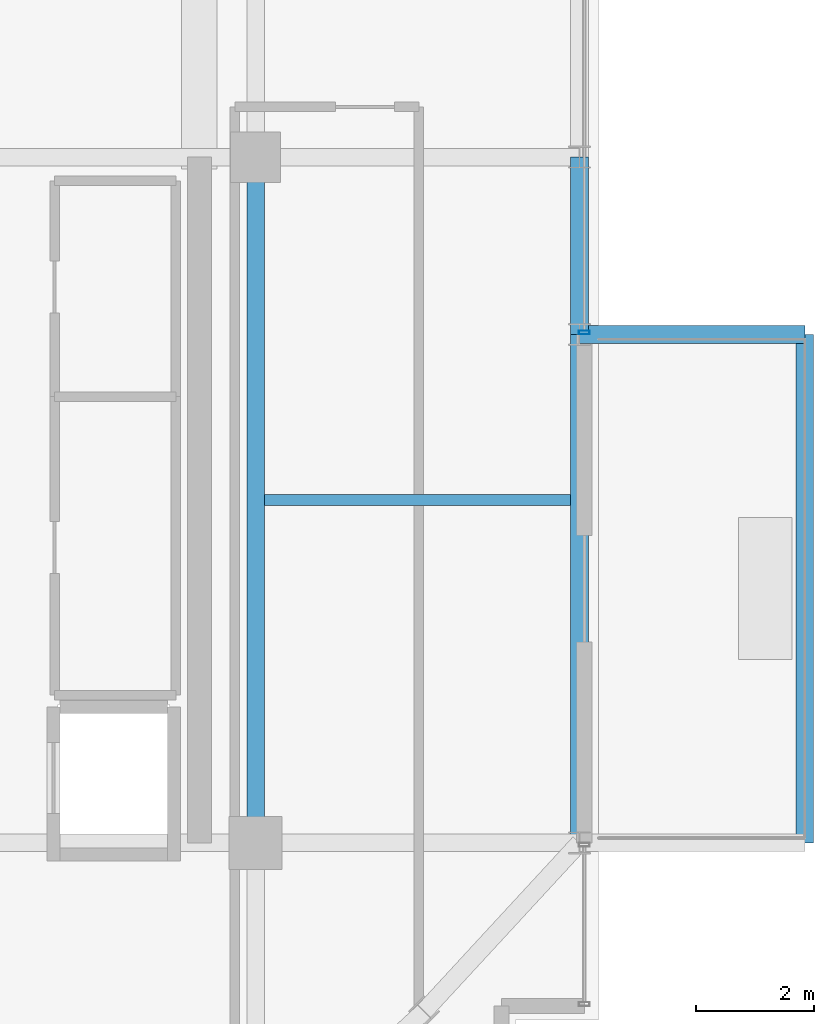
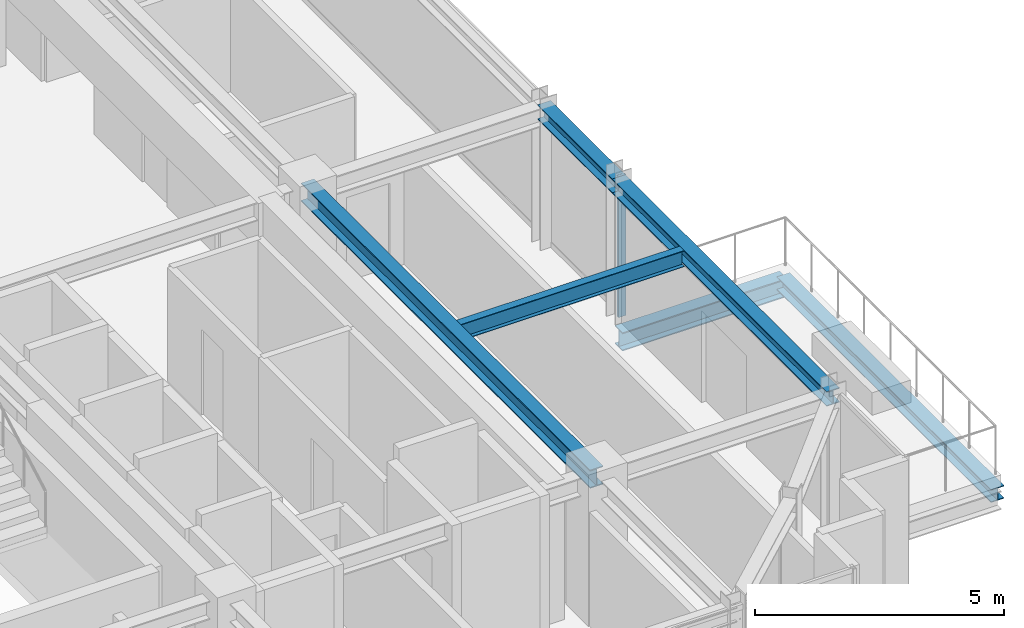
# One storey, part 13 of 31: 6 beams, 1 member, 1 element without a shape of its own.
"""IFC4 building model written with IfcOpenShell, lengths in metres."""

import ifcopenshell
import ifcopenshell.guid

model = None  # the IFC model being written
_history = None  # IfcOwnerHistory: only IFC2X3 demands one
_inside = {}  # id of a spatial element -> (the spatial element, [elements in it])
_under = {}  # id of a project, library or spatial element -> (it, [spatial elements below it])
_declared = {}  # id of a project -> (the project, [libraries it declares])
_typed = {}  # id of a type object -> (the type object, [elements of that type])
_made_of = {}  # id of a material, layer set ... -> (it, [elements and type objects made of it])


def new_model(schema):
    """Start an empty IFC model of exactly this schema.

    Asked for "IFC4X3", IfcOpenShell would pick the latest addendum, in which some entities
    have other attributes; the version numbers below select the first issue.
    IFC2X3 requires an IfcOwnerHistory on every rooted entity: one is made here for all.
    """
    global model, _history
    if schema == "IFC4X3":
        model = ifcopenshell.file(schema_version=(4, 3, 0, 0))
    else:
        model = ifcopenshell.file(schema=schema)
    _inside.clear()
    _under.clear()
    _declared.clear()
    _typed.clear()
    _made_of.clear()
    _history = None
    if model.schema == "IFC2X3":
        org = make("IfcOrganization", Name="unknown")
        user = make(
            "IfcPersonAndOrganization",
            ThePerson=make("IfcPerson", FamilyName="unknown"),
            TheOrganization=org,
        )
        app = make(
            "IfcApplication",
            ApplicationDeveloper=org,
            Version="unknown",
            ApplicationFullName="unknown",
            ApplicationIdentifier="unknown",
        )
        _history = make(
            "IfcOwnerHistory",
            OwningUser=user,
            OwningApplication=app,
            ChangeAction="ADDED",
            CreationDate=0,
        )
    return model


def make(cls, **values):
    """One entity of the class cls with the attributes given. An attribute that is None is left unset."""
    return model.create_entity(
        cls, **{name: value for name, value in values.items() if value is not None}
    )


def rooted(cls, **values):
    """An entity with a GlobalId (a new one), such as an element, a storey or a relation."""
    return make(cls, GlobalId=ifcopenshell.guid.new(), OwnerHistory=_history, **values)


def si_unit(unit_type, name, prefix=None):
    """IfcSIUnit, for example si_unit("LENGTHUNIT", "METRE", prefix="MILLI")."""
    return make("IfcSIUnit", UnitType=unit_type, Prefix=prefix, Name=name)


def assignment(units):
    """IfcUnitAssignment: the units of a project."""
    return None if units is None else make("IfcUnitAssignment", Units=units)


def point(xyz):
    """IfcCartesianPoint."""
    return None if xyz is None else make("IfcCartesianPoint", Coordinates=xyz)


def direction(xyz):
    """IfcDirection."""
    return None if xyz is None else make("IfcDirection", DirectionRatios=xyz)


def frame(location, z_axis=None, x_axis=None):
    """IfcAxis2Placement3D, a coordinate frame: its origin and axes. An axis left out is left unset."""
    return make(
        "IfcAxis2Placement3D",
        Location=point(location),
        Axis=direction(z_axis),
        RefDirection=direction(x_axis),
    )


def frame_2d(location, x_axis=None):
    """IfcAxis2Placement2D, a coordinate frame in the plane: its origin and x axis."""
    return make(
        "IfcAxis2Placement2D", Location=point(location), RefDirection=direction(x_axis)
    )


def origin():
    """The frame at (0, 0, 0) with its axes left unset."""
    return frame((0.0, 0.0, 0.0))


def origin_2d():
    """The frame at (0, 0) in the plane with its x axis left unset."""
    return frame_2d((0.0, 0.0))


def place(relative_to, where):
    """IfcLocalPlacement: puts the frame where relative to a parent placement (None: the world)."""
    return make(
        "IfcLocalPlacement", PlacementRelTo=relative_to, RelativePlacement=where
    )


def context(
    kind, dimensions, precision=None, world=None, true_north=None, identifier=None
):
    """IfcGeometricRepresentationContext, for example the 3D "Model" context."""
    return make(
        "IfcGeometricRepresentationContext",
        ContextIdentifier=identifier,
        ContextType=kind,
        CoordinateSpaceDimension=dimensions,
        Precision=precision,
        WorldCoordinateSystem=world,
        TrueNorth=true_north,
    )


def subcontext(parent, identifier, kind, view, scale=None):
    """IfcGeometricRepresentationSubContext, for example "Body" below "Model"."""
    return make(
        "IfcGeometricRepresentationSubContext",
        ContextIdentifier=identifier,
        ContextType=kind,
        ParentContext=parent,
        TargetScale=scale,
        TargetView=view,
    )


def project(units=None, contexts=None):
    """IfcProject with its units and contexts."""
    return rooted(
        "IfcProject",
        Name="project",
        RepresentationContexts=contexts,
        UnitsInContext=assignment(units),
    )


def spatial(cls, under=None, at=None, **own):
    """A site, building, storey or space (cls), placed at a placement, below another one or the project."""
    s = rooted(cls, ObjectPlacement=at, **own)
    if under is not None:
        _under.setdefault(under.id(), (under, []))[1].append(s)
    return s


def profile(cls, at=None, kind="AREA", **sizes):
    """A parametric profile (cls). Its sizes go by their IFC names, for example OverallWidth=200.0."""
    return make(cls, ProfileType=kind, Position=at, **sizes)


def hollow_rectangle(**sizes):
    """IfcRectangleHollowProfileDef."""
    return profile("IfcRectangleHollowProfileDef", **sizes)


def i_section(**sizes):
    """IfcIShapeProfileDef."""
    return profile("IfcIShapeProfileDef", **sizes)


def extrude(swept, where, along, depth):
    """IfcExtrudedAreaSolid: the profile swept, set in the frame where, extruded along a direction by depth."""
    return make(
        "IfcExtrudedAreaSolid",
        SweptArea=swept,
        Position=where,
        ExtrudedDirection=direction(along),
        Depth=depth,
    )


def shape(context_of_items, identifier, shape_type, items):
    """IfcShapeRepresentation: the items that make up one representation, for example the "Body"."""
    return make(
        "IfcShapeRepresentation",
        ContextOfItems=context_of_items,
        RepresentationIdentifier=identifier,
        RepresentationType=shape_type,
        Items=items,
    )


def source(mapping_origin, context_of_items, identifier, shape_type, items):
    """IfcRepresentationMap: a shape defined once, which mapped items show again and again."""
    return make(
        "IfcRepresentationMap",
        MappingOrigin=mapping_origin,
        MappedRepresentation=shape(context_of_items, identifier, shape_type, items),
    )


def transform(
    local_origin,
    x_axis=None,
    y_axis=None,
    z_axis=None,
    scale=None,
    scale2=None,
    scale3=None,
    uniform=True,
):
    """IfcCartesianTransformationOperator3D, or its non-uniform kind. x_axis, y_axis, z_axis: its Axis1, 2, 3."""
    if uniform:
        return make(
            "IfcCartesianTransformationOperator3D",
            Axis1=direction(x_axis),
            Axis2=direction(y_axis),
            LocalOrigin=point(local_origin),
            Scale=scale,
            Axis3=direction(z_axis),
        )
    return make(
        "IfcCartesianTransformationOperator3DnonUniform",
        Axis1=direction(x_axis),
        Axis2=direction(y_axis),
        LocalOrigin=point(local_origin),
        Scale=scale,
        Axis3=direction(z_axis),
        Scale2=scale2,
        Scale3=scale3,
    )


def mapped(mapping_source, mapping_target):
    """IfcMappedItem: shows the shape of a source again, moved by a transform."""
    return make(
        "IfcMappedItem", MappingSource=mapping_source, MappingTarget=mapping_target
    )


def material(Name=None, Category=None):
    """IfcMaterial."""
    return make("IfcMaterial", Name=Name, Category=Category)


def material_profile(
    of_material, cross_section, Name=None, Category=None, Priority=None
):
    """IfcMaterialProfile: a cross section and its material."""
    return make(
        "IfcMaterialProfile",
        Name=Name,
        Material=of_material,
        Profile=cross_section,
        Priority=Priority,
        Category=Category,
    )


def profile_set(profiles, Name=None, composite=None):
    """IfcMaterialProfileSet."""
    return make(
        "IfcMaterialProfileSet",
        Name=Name,
        MaterialProfiles=profiles,
        CompositeProfile=composite,
    )


def made_of(thing, what):
    """Note that an element or type object is made of a material, layer set ...; save() writes the relation."""
    if what is not None:
        _made_of.setdefault(what.id(), (what, []))[1].append(thing)
    return thing


def type_object(cls, material=None, **own):
    """A type object (cls), such as IfcWallType, which elements share."""
    return made_of(rooted(cls, **own), material)


def element(
    cls,
    number,
    at=None,
    inside=None,
    cuts=None,
    type_object=None,
    material=None,
    context=None,
    identifier="Body",
    shape_type=None,
    held_by="IfcProductDefinitionShape",
    body=None,
    shapes=None,
    **own,
):
    """One element of the class cls, such as IfcWall. Its Tag is "e" and its number.

    at: its placement. inside: the storey or other place that contains it. cuts: it is an
    opening in that element (IfcRelVoidsElement). A single representation is given by context,
    identifier, shape_type and body (its items); several are given by shapes. held_by: the class
    of the entity that holds the representations. save() writes the other relations.
    """
    e = rooted(cls, Tag="e%d" % number, ObjectPlacement=at, **own)
    if body is not None:
        shapes = [shape(context, identifier, shape_type, body)]
    if shapes is not None:
        e.Representation = make(held_by, Representations=shapes)
    if inside is not None:
        _inside.setdefault(inside.id(), (inside, []))[1].append(e)
    if cuts is not None:
        rooted(
            "IfcRelVoidsElement", RelatingBuildingElement=cuts, RelatedOpeningElement=e
        )
    if type_object is not None:
        _typed.setdefault(type_object.id(), (type_object, []))[1].append(e)
    return made_of(e, material)


def aggregate(whole, parts):
    """IfcRelAggregates: a whole, such as a stair, and the parts it consists of."""
    return rooted("IfcRelAggregates", RelatingObject=whole, RelatedObjects=parts)


def save(model, path):
    """Write the relations noted so far, then the file.

    IfcRelAggregates (storeys below a building ...), IfcRelContainedInSpatialStructure (elements
    in a storey), IfcRelDefinesByType, IfcRelAssociatesMaterial and IfcRelDeclares: one each for
    every whole, place, type object, material and project.
    """
    for whole, parts in _under.values():
        aggregate(whole, parts)
    for where, things in _inside.values():
        rooted(
            "IfcRelContainedInSpatialStructure",
            RelatedElements=things,
            RelatingStructure=where,
        )
    for kind, things in _typed.values():
        rooted("IfcRelDefinesByType", RelatedObjects=things, RelatingType=kind)
    for what, things in _made_of.values():
        rooted("IfcRelAssociatesMaterial", RelatedObjects=things, RelatingMaterial=what)
    for by, libraries in _declared.values():
        rooted("IfcRelDeclares", RelatingContext=by, RelatedDefinitions=libraries)
    model.write(path)


model = new_model("IFC4")

# Units and contexts
model_context = context("Model", 3, precision=1e-05, world=origin(), true_north=direction((0.0, 1.0)))
body_context = subcontext(model_context, "Body", "Model", "MODEL_VIEW")
ifc_project = project(units=[si_unit("LENGTHUNIT", "METRE"), si_unit("AREAUNIT", "SQUARE_METRE"), si_unit("VOLUMEUNIT", "CUBIC_METRE"), si_unit("PLANEANGLEUNIT", "RADIAN"), si_unit("MASSUNIT", "GRAM", prefix="KILO")], contexts=[model_context])

# Site, building, storey
site_placement = place(None, origin())
site = spatial("IfcSite", under=ifc_project, at=site_placement, CompositionType="ELEMENT")
building_placement = place(site_placement, origin())
building = spatial("IfcBuilding", under=site, at=building_placement, Name="Nahalor Promenade Grand Hotel", CompositionType="ELEMENT")
storey_placement = place(building_placement, frame((0.0, 0.0, 281.300048828125)))
storey = spatial("IfcBuildingStorey", under=building, at=storey_placement, Name="L72", CompositionType="ELEMENT", Elevation=281.300048828125)

# Beams
ifc_material_1 = material(Name="Steel S355JR", Category="steel")
ifc_material_profile_1 = material_profile(ifc_material_1, i_section(OverallWidth=0.3, OverallDepth=0.32, WebThickness=0.0115, FlangeThickness=0.0205, at=origin_2d()), Name="HEB 320")
ifc_profile_set_1 = profile_set([ifc_material_profile_1], Name="Steel S355JR")
beam_type_1 = type_object("IfcBeamType", Name="Beam-BalcEdge-HEB320", PredefinedType="SPANDREL", material=ifc_profile_set_1)
shared_shape_1 = source(origin(), body_context, "Body", "SweptSolid", [
    extrude(i_section(OverallWidth=0.3, OverallDepth=0.32, WebThickness=0.0115, FlangeThickness=0.0205, at=origin_2d()), origin(), (0.0, 0.0, 1.0), 8.60009765625),
])
beam_1_placement = place(storey_placement, frame((26.2900390625, -17.0, -0.43994140625), z_axis=(0.0, 1.0, 0.0), x_axis=(-1.0, 0.0, 0.0)))
element("IfcBeam", 1, at=beam_1_placement, inside=storey, type_object=beam_type_1, Name="BM-L72-BC-02-F", PredefinedType="SPANDREL", context=body_context, shape_type="MappedRepresentation", body=[
    mapped(shared_shape_1, transform((0.0, 0.0, 0.0), scale=1.0)),
])
ifc_material_profile_2 = material_profile(ifc_material_1, i_section(OverallWidth=0.3, OverallDepth=0.45, WebThickness=0.014, FlangeThickness=0.026, at=origin_2d()), Name="HEB 450")
ifc_profile_set_2 = profile_set([ifc_material_profile_2], Name="Steel S355JR")
beam_type_2 = type_object("IfcBeamType", Name="Beam-Outrigger-HEB450", PredefinedType="BEAM", material=ifc_profile_set_2)
shared_shape_2 = source(origin(), body_context, "Body", "SweptSolid", [
    extrude(i_section(OverallWidth=0.3, OverallDepth=0.45, WebThickness=0.014, FlangeThickness=0.026, at=origin_2d()), origin(), (0.0, 0.0, 1.0), 3.81005859375),
])
beam_2_placement = place(storey_placement, frame((22.47998046875, -8.39990234375, -0.505126953125), z_axis=(1.0, 0.0, 0.0), x_axis=(0.0, 1.0, 0.0)))
element("IfcBeam", 2, at=beam_2_placement, inside=storey, type_object=beam_type_2, Name="BM-L72-BC-02-2", PredefinedType="BEAM", context=body_context, shape_type="MappedRepresentation", body=[
    mapped(shared_shape_2, transform((0.0, 0.0, 0.0), scale=1.0)),
])
ifc_material_profile_3 = material_profile(ifc_material_1, i_section(OverallWidth=0.3, OverallDepth=0.45, WebThickness=0.014, FlangeThickness=0.026, at=origin_2d()), Name="HEB 450")
ifc_profile_set_3 = profile_set([ifc_material_profile_3], Name="Steel S355JR")
beam_type_3 = type_object("IfcBeamType", Name="Beam-Girder-HEB450", PredefinedType="BEAM", material=ifc_profile_set_3)
shared_shape_3 = source(origin(), body_context, "Body", "SweptSolid", [
    extrude(i_section(OverallWidth=0.3, OverallDepth=0.45, WebThickness=0.014, FlangeThickness=0.026, at=origin_2d()), origin(), (0.0, 0.0, 1.0), 11.60009765625),
])
beam_3_placement = place(storey_placement, frame((17.0, -17.0, 3.224853515625), z_axis=(0.0, 1.0, 0.0), x_axis=(-1.0, 0.0, 0.0)))
element("IfcBeam", 3, at=beam_3_placement, inside=storey, type_object=beam_type_3, Name="BM-L72-GY-5-1", PredefinedType="BEAM", context=body_context, shape_type="MappedRepresentation", body=[
    mapped(shared_shape_3, transform((0.0, 0.0, 0.0), scale=1.0)),
])
ifc_material_profile_4 = material_profile(ifc_material_1, i_section(OverallWidth=0.18, OverallDepth=0.4, WebThickness=0.0086, FlangeThickness=0.0135, at=origin_2d()), Name="IPE 400")
ifc_profile_set_4 = profile_set([ifc_material_profile_4], Name="Steel S355JR")
beam_type_4 = type_object("IfcBeamType", Name="Beam-Joist-IPE400", PredefinedType="JOIST", material=ifc_profile_set_4)
shared_shape_4 = source(origin(), body_context, "Body", "SweptSolid", [
    extrude(i_section(OverallWidth=0.18, OverallDepth=0.4, WebThickness=0.0086, FlangeThickness=0.0135, at=origin_2d()), origin(), (0.0, 0.0, 1.0), 5.18017578125),
])
beam_4_placement = place(storey_placement, frame((17.14990234375, -11.199951171875, 3.25), z_axis=(1.0, 0.0, 0.0), x_axis=(0.0, 1.0, 0.0)))
element("IfcBeam", 4, at=beam_4_placement, inside=storey, type_object=beam_type_4, Name="BM-L72-JSE-0-2", PredefinedType="JOIST", context=body_context, shape_type="MappedRepresentation", body=[
    mapped(shared_shape_4, transform((0.0, 0.0, 0.0), scale=1.0)),
])
ifc_material_profile_5 = material_profile(ifc_material_1, i_section(OverallWidth=0.3, OverallDepth=0.36, WebThickness=0.0125, FlangeThickness=0.0225, at=origin_2d()), Name="HEB 360")
ifc_profile_set_5 = profile_set([ifc_material_profile_5], Name="Steel S355JR")
beam_type_5 = type_object("IfcBeamType", Name="Beam-Spandrel-HEB360", PredefinedType="SPANDREL", material=ifc_profile_set_5)
shared_shape_5 = source(origin(), body_context, "Body", "SweptSolid", [
    extrude(i_section(OverallWidth=0.3, OverallDepth=0.36, WebThickness=0.0125, FlangeThickness=0.0225, at=origin_2d()), origin(), (0.0, 0.0, 1.0), 8.60009765625),
])
beam_5_placement = place(storey_placement, frame((22.47998046875, -17.0, 3.27001953125), z_axis=(0.0, 1.0, 0.0), x_axis=(-1.0, 0.0, 0.0)))
element("IfcBeam", 5, at=beam_5_placement, inside=storey, type_object=beam_type_5, Name="BM-L72-SP-E-0", PredefinedType="SPANDREL", context=body_context, shape_type="MappedRepresentation", body=[
    mapped(shared_shape_5, transform((0.0, 0.0, 0.0), scale=1.0)),
])
shared_shape_6 = source(origin(), body_context, "Body", "SweptSolid", [
    extrude(i_section(OverallWidth=0.3, OverallDepth=0.36, WebThickness=0.0125, FlangeThickness=0.0225, at=origin_2d()), origin(), (0.0, 0.0, 1.0), 3.0),
])
beam_6_placement = place(storey_placement, frame((22.47998046875, -8.39990234375, 3.27001953125), z_axis=(0.0, 1.0, 0.0), x_axis=(-1.0, 0.0, 0.0)))
element("IfcBeam", 6, at=beam_6_placement, inside=storey, type_object=beam_type_5, Name="BM-L72-SP-E-1", PredefinedType="SPANDREL", context=body_context, shape_type="MappedRepresentation", body=[
    mapped(shared_shape_6, transform((0.0, 0.0, 0.0), scale=1.0)),
])

# Curtain wall, member
ifc_material_2 = material(Name="Anodised Bronze Aluminium EN AW-6063 T6", Category="aluminium")
curtain_wall_type = type_object("IfcCurtainWallType", Name="CW2 Typical Hotel Flush Bronze Unitised Curtain Wall", PredefinedType="USERDEFINED", material=ifc_material_2)
curtain_wall_placement = place(storey_placement, origin())
curtain_wall = element("IfcCurtainWall", 7, at=curtain_wall_placement, inside=storey, type_object=curtain_wall_type, Name="L72 Curtain Wall CW-L72-E-3", ObjectType="UNITISED_CURTAIN_WALL", PredefinedType="USERDEFINED")
ifc_material_profile_6 = material_profile(ifc_material_2, hollow_rectangle(XDim=0.065, YDim=0.18, WallThickness=0.004, at=origin_2d()), Name="CWM 65x180x4")
ifc_profile_set_6 = profile_set([ifc_material_profile_6], Name="Anodised Bronze Aluminium EN AW-6063 T6")
member_type = type_object("IfcMemberType", Name="CWM2 Typical Bronze Mullion 65x180", PredefinedType="MULLION", material=ifc_profile_set_6)
shared_shape_7 = source(origin(), body_context, "Body", "SweptSolid", [
    extrude(hollow_rectangle(XDim=0.065, YDim=0.18, WallThickness=0.004, at=origin_2d()), origin(), (0.0, 0.0, 1.0), 3.449951171875),
])
member_placement = place(storey_placement, frame((22.56005859375, -8.367431640625, 0.0), z_axis=(0.0, 0.0, 1.0), x_axis=(0.0, 1.0, 0.0)))
member = element("IfcMember", 8, at=member_placement, type_object=member_type, Name="CW-L72-E-3 Mullion 0", PredefinedType="MULLION", context=body_context, shape_type="MappedRepresentation", body=[
    mapped(shared_shape_7, transform((0.0, 0.0, 0.0), scale=1.0)),
])
aggregate(curtain_wall, [member])

save(model, "model.ifc")
